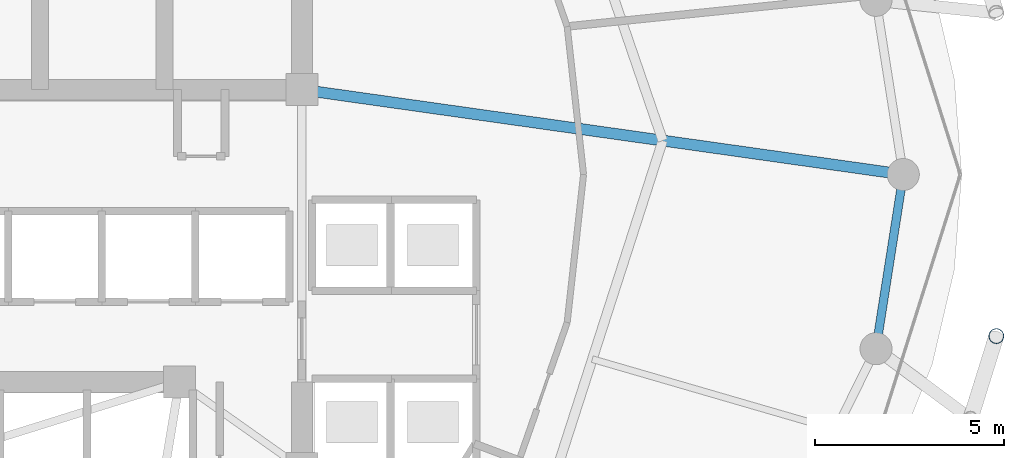
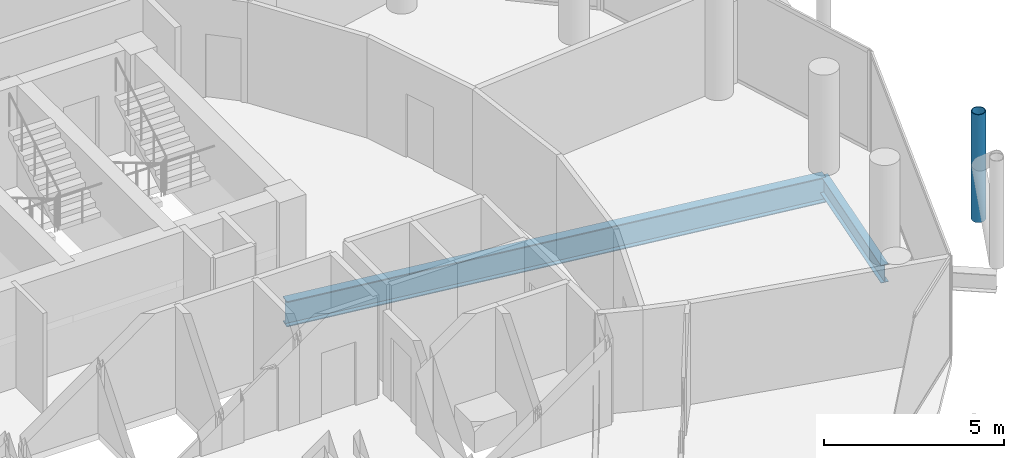
# One storey, part 14 of 27: 2 beams, 1 member.
"""IFC4 building model written with IfcOpenShell, lengths in metres."""

import ifcopenshell
import ifcopenshell.guid

model = None  # the IFC model being written
_history = None  # IfcOwnerHistory: only IFC2X3 demands one
_inside = {}  # id of a spatial element -> (the spatial element, [elements in it])
_under = {}  # id of a project, library or spatial element -> (it, [spatial elements below it])
_declared = {}  # id of a project -> (the project, [libraries it declares])
_typed = {}  # id of a type object -> (the type object, [elements of that type])
_made_of = {}  # id of a material, layer set ... -> (it, [elements and type objects made of it])


def new_model(schema):
    """Start an empty IFC model of exactly this schema.

    Asked for "IFC4X3", IfcOpenShell would pick the latest addendum, in which some entities
    have other attributes; the version numbers below select the first issue.
    IFC2X3 requires an IfcOwnerHistory on every rooted entity: one is made here for all.
    """
    global model, _history
    if schema == "IFC4X3":
        model = ifcopenshell.file(schema_version=(4, 3, 0, 0))
    else:
        model = ifcopenshell.file(schema=schema)
    _inside.clear()
    _under.clear()
    _declared.clear()
    _typed.clear()
    _made_of.clear()
    _history = None
    if model.schema == "IFC2X3":
        org = make("IfcOrganization", Name="unknown")
        user = make(
            "IfcPersonAndOrganization",
            ThePerson=make("IfcPerson", FamilyName="unknown"),
            TheOrganization=org,
        )
        app = make(
            "IfcApplication",
            ApplicationDeveloper=org,
            Version="unknown",
            ApplicationFullName="unknown",
            ApplicationIdentifier="unknown",
        )
        _history = make(
            "IfcOwnerHistory",
            OwningUser=user,
            OwningApplication=app,
            ChangeAction="ADDED",
            CreationDate=0,
        )
    return model


def make(cls, **values):
    """One entity of the class cls with the attributes given. An attribute that is None is left unset."""
    return model.create_entity(
        cls, **{name: value for name, value in values.items() if value is not None}
    )


def rooted(cls, **values):
    """An entity with a GlobalId (a new one), such as an element, a storey or a relation."""
    return make(cls, GlobalId=ifcopenshell.guid.new(), OwnerHistory=_history, **values)


def si_unit(unit_type, name, prefix=None):
    """IfcSIUnit, for example si_unit("LENGTHUNIT", "METRE", prefix="MILLI")."""
    return make("IfcSIUnit", UnitType=unit_type, Prefix=prefix, Name=name)


def assignment(units):
    """IfcUnitAssignment: the units of a project."""
    return None if units is None else make("IfcUnitAssignment", Units=units)


def point(xyz):
    """IfcCartesianPoint."""
    return None if xyz is None else make("IfcCartesianPoint", Coordinates=xyz)


def direction(xyz):
    """IfcDirection."""
    return None if xyz is None else make("IfcDirection", DirectionRatios=xyz)


def frame(location, z_axis=None, x_axis=None):
    """IfcAxis2Placement3D, a coordinate frame: its origin and axes. An axis left out is left unset."""
    return make(
        "IfcAxis2Placement3D",
        Location=point(location),
        Axis=direction(z_axis),
        RefDirection=direction(x_axis),
    )


def frame_2d(location, x_axis=None):
    """IfcAxis2Placement2D, a coordinate frame in the plane: its origin and x axis."""
    return make(
        "IfcAxis2Placement2D", Location=point(location), RefDirection=direction(x_axis)
    )


def origin():
    """The frame at (0, 0, 0) with its axes left unset."""
    return frame((0.0, 0.0, 0.0))


def origin_2d():
    """The frame at (0, 0) in the plane with its x axis left unset."""
    return frame_2d((0.0, 0.0))


def place(relative_to, where):
    """IfcLocalPlacement: puts the frame where relative to a parent placement (None: the world)."""
    return make(
        "IfcLocalPlacement", PlacementRelTo=relative_to, RelativePlacement=where
    )


def context(
    kind, dimensions, precision=None, world=None, true_north=None, identifier=None
):
    """IfcGeometricRepresentationContext, for example the 3D "Model" context."""
    return make(
        "IfcGeometricRepresentationContext",
        ContextIdentifier=identifier,
        ContextType=kind,
        CoordinateSpaceDimension=dimensions,
        Precision=precision,
        WorldCoordinateSystem=world,
        TrueNorth=true_north,
    )


def subcontext(parent, identifier, kind, view, scale=None):
    """IfcGeometricRepresentationSubContext, for example "Body" below "Model"."""
    return make(
        "IfcGeometricRepresentationSubContext",
        ContextIdentifier=identifier,
        ContextType=kind,
        ParentContext=parent,
        TargetScale=scale,
        TargetView=view,
    )


def project(units=None, contexts=None):
    """IfcProject with its units and contexts."""
    return rooted(
        "IfcProject",
        Name="project",
        RepresentationContexts=contexts,
        UnitsInContext=assignment(units),
    )


def spatial(cls, under=None, at=None, **own):
    """A site, building, storey or space (cls), placed at a placement, below another one or the project."""
    s = rooted(cls, ObjectPlacement=at, **own)
    if under is not None:
        _under.setdefault(under.id(), (under, []))[1].append(s)
    return s


def profile(cls, at=None, kind="AREA", **sizes):
    """A parametric profile (cls). Its sizes go by their IFC names, for example OverallWidth=200.0."""
    return make(cls, ProfileType=kind, Position=at, **sizes)


def hollow_circle(**sizes):
    """IfcCircleHollowProfileDef."""
    return profile("IfcCircleHollowProfileDef", **sizes)


def i_section(**sizes):
    """IfcIShapeProfileDef."""
    return profile("IfcIShapeProfileDef", **sizes)


def extrude(swept, where, along, depth):
    """IfcExtrudedAreaSolid: the profile swept, set in the frame where, extruded along a direction by depth."""
    return make(
        "IfcExtrudedAreaSolid",
        SweptArea=swept,
        Position=where,
        ExtrudedDirection=direction(along),
        Depth=depth,
    )


def shape(context_of_items, identifier, shape_type, items):
    """IfcShapeRepresentation: the items that make up one representation, for example the "Body"."""
    return make(
        "IfcShapeRepresentation",
        ContextOfItems=context_of_items,
        RepresentationIdentifier=identifier,
        RepresentationType=shape_type,
        Items=items,
    )


def material(Name=None, Category=None):
    """IfcMaterial."""
    return make("IfcMaterial", Name=Name, Category=Category)


def material_profile(
    of_material, cross_section, Name=None, Category=None, Priority=None
):
    """IfcMaterialProfile: a cross section and its material."""
    return make(
        "IfcMaterialProfile",
        Name=Name,
        Material=of_material,
        Profile=cross_section,
        Priority=Priority,
        Category=Category,
    )


def profile_set(profiles, Name=None, composite=None):
    """IfcMaterialProfileSet."""
    return make(
        "IfcMaterialProfileSet",
        Name=Name,
        MaterialProfiles=profiles,
        CompositeProfile=composite,
    )


def made_of(thing, what):
    """Note that an element or type object is made of a material, layer set ...; save() writes the relation."""
    if what is not None:
        _made_of.setdefault(what.id(), (what, []))[1].append(thing)
    return thing


def type_object(cls, material=None, **own):
    """A type object (cls), such as IfcWallType, which elements share."""
    return made_of(rooted(cls, **own), material)


def element(
    cls,
    number,
    at=None,
    inside=None,
    cuts=None,
    type_object=None,
    material=None,
    context=None,
    identifier="Body",
    shape_type=None,
    held_by="IfcProductDefinitionShape",
    body=None,
    shapes=None,
    **own,
):
    """One element of the class cls, such as IfcWall. Its Tag is "e" and its number.

    at: its placement. inside: the storey or other place that contains it. cuts: it is an
    opening in that element (IfcRelVoidsElement). A single representation is given by context,
    identifier, shape_type and body (its items); several are given by shapes. held_by: the class
    of the entity that holds the representations. save() writes the other relations.
    """
    e = rooted(cls, Tag="e%d" % number, ObjectPlacement=at, **own)
    if body is not None:
        shapes = [shape(context, identifier, shape_type, body)]
    if shapes is not None:
        e.Representation = make(held_by, Representations=shapes)
    if inside is not None:
        _inside.setdefault(inside.id(), (inside, []))[1].append(e)
    if cuts is not None:
        rooted(
            "IfcRelVoidsElement", RelatingBuildingElement=cuts, RelatedOpeningElement=e
        )
    if type_object is not None:
        _typed.setdefault(type_object.id(), (type_object, []))[1].append(e)
    return made_of(e, material)


def aggregate(whole, parts):
    """IfcRelAggregates: a whole, such as a stair, and the parts it consists of."""
    return rooted("IfcRelAggregates", RelatingObject=whole, RelatedObjects=parts)


def save(model, path):
    """Write the relations noted so far, then the file.

    IfcRelAggregates (storeys below a building ...), IfcRelContainedInSpatialStructure (elements
    in a storey), IfcRelDefinesByType, IfcRelAssociatesMaterial and IfcRelDeclares: one each for
    every whole, place, type object, material and project.
    """
    for whole, parts in _under.values():
        aggregate(whole, parts)
    for where, things in _inside.values():
        rooted(
            "IfcRelContainedInSpatialStructure",
            RelatedElements=things,
            RelatingStructure=where,
        )
    for kind, things in _typed.values():
        rooted("IfcRelDefinesByType", RelatedObjects=things, RelatingType=kind)
    for what, things in _made_of.values():
        rooted("IfcRelAssociatesMaterial", RelatedObjects=things, RelatingMaterial=what)
    for by, libraries in _declared.values():
        rooted("IfcRelDeclares", RelatingContext=by, RelatedDefinitions=libraries)
    model.write(path)


model = new_model("IFC4")

# Units and contexts
model_context = context("Model", 3, precision=1e-05, world=origin(), true_north=direction((0.0, 1.0)))
body_context = subcontext(model_context, "Body", "Model", "MODEL_VIEW")
ifc_project = project(units=[si_unit("LENGTHUNIT", "METRE"), si_unit("AREAUNIT", "SQUARE_METRE"), si_unit("VOLUMEUNIT", "CUBIC_METRE"), si_unit("PLANEANGLEUNIT", "RADIAN"), si_unit("MASSUNIT", "GRAM", prefix="KILO")], contexts=[model_context])

# Site, building, storey
site_placement = place(None, origin())
site = spatial("IfcSite", under=ifc_project, at=site_placement, CompositionType="ELEMENT")
building_placement = place(site_placement, origin())
building = spatial("IfcBuilding", under=site, at=building_placement, Name="Nuhasar Tower", CompositionType="ELEMENT")
storey_placement = place(building_placement, frame((0.0, 0.0, 208.14990234375)))
storey = spatial("IfcBuildingStorey", under=building, at=storey_placement, Name="L50", CompositionType="ELEMENT", Elevation=208.14990234375)

# Beams
ifc_material_1 = material(Name="Steel S355", Category="steel")
ifc_material_profile_1 = material_profile(ifc_material_1, i_section(OverallWidth=0.2919921875, OverallDepth=0.85888671875, WebThickness=0.01708984375, FlangeThickness=0.031005859375, at=origin_2d()), Name="W33X169")
ifc_profile_set_1 = profile_set([ifc_material_profile_1], Name="Steel S355")
beam_type_1 = type_object("IfcBeamType", Name="BM-POD-W33X169", PredefinedType="BEAM", material=ifc_profile_set_1)
beam_1_placement = place(storey_placement, frame((44.300048828125, 29.050048828125, -0.6689453125), z_axis=(0.990196233464, -0.139683281866, 0.0), x_axis=(0.139683281866, 0.990196233464, 0.0)))
element("IfcBeam", 1, at=beam_1_placement, inside=storey, type_object=beam_type_1, Name="L50 Radial Floor Girder 04", PredefinedType="BEAM", context=body_context, shape_type="SweptSolid", body=[
    extrude(i_section(OverallWidth=0.2919921875, OverallDepth=0.85888671875, WebThickness=0.01708984375, FlangeThickness=0.031005859375, at=origin_2d()), origin(), (0.0, 0.0, 1.0), 16.10791015625),
])
ifc_material_profile_2 = material_profile(ifc_material_1, i_section(OverallWidth=0.22802734375, OverallDepth=0.60791015625, WebThickness=0.01123046875, FlangeThickness=0.017333984375, at=origin_2d()), Name="W24X76")
ifc_profile_set_2 = profile_set([ifc_material_profile_2], Name="Steel S355")
beam_type_2 = type_object("IfcBeamType", Name="BM-RING-W24X76", PredefinedType="SPANDREL", material=ifc_profile_set_2)
beam_2_placement = place(storey_placement, frame((59.52587890625, 22.179931640625, -0.5439453125), z_axis=(0.154841886404, 0.987939264436, 0.0), x_axis=(-0.987939264436, 0.154841886404, 0.0)))
element("IfcBeam", 2, at=beam_2_placement, inside=storey, type_object=beam_type_2, Name="L50 Perimeter Ring Spandrel 24", PredefinedType="SPANDREL", context=body_context, shape_type="SweptSolid", body=[
    extrude(i_section(OverallWidth=0.22802734375, OverallDepth=0.60791015625, WebThickness=0.01123046875, FlangeThickness=0.017333984375, at=origin_2d()), origin(), (0.0, 0.0, 1.0), 4.676513671875),
])

# Member
ifc_material_2 = material(Name="Steel S460", Category="steel")
ifc_material_profile_3 = material_profile(ifc_material_2, hollow_circle(Radius=0.203125, WallThickness=0.01904296875, at=origin_2d()), Name="HSS406.4X19.1")
ifc_profile_set_3 = profile_set([ifc_material_profile_3], Name="Steel S460")
member_type = type_object("IfcMemberType", Name="EXO-BRONZE-406", PredefinedType="BRACE", material=ifc_profile_set_3)
member_placement = place(storey_placement, frame((62.718017578125, 22.513916015625, 0.0), z_axis=(0.0, 0.0, 1.0), x_axis=(1.0, 0.0, 0.0)))
element("IfcMember", 3, at=member_placement, inside=storey, type_object=member_type, Name="L50 Exoskeleton Chord Column EC-12B", PredefinedType="BRACE", context=body_context, shape_type="SweptSolid", body=[
    extrude(hollow_circle(Radius=0.203125, WallThickness=0.01904296875, at=origin_2d()), origin(), (0.0, 0.0, 1.0), 3.650146484375),
])

save(model, "model.ifc")
